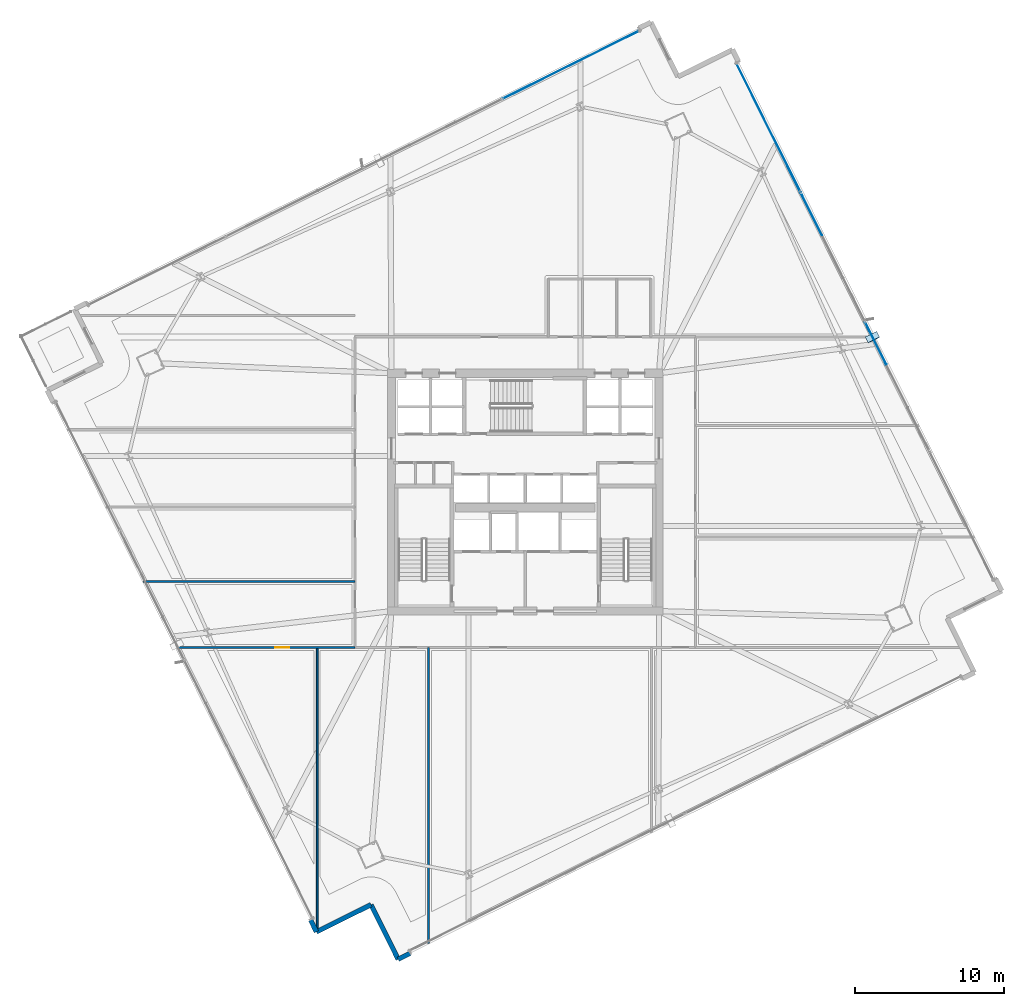
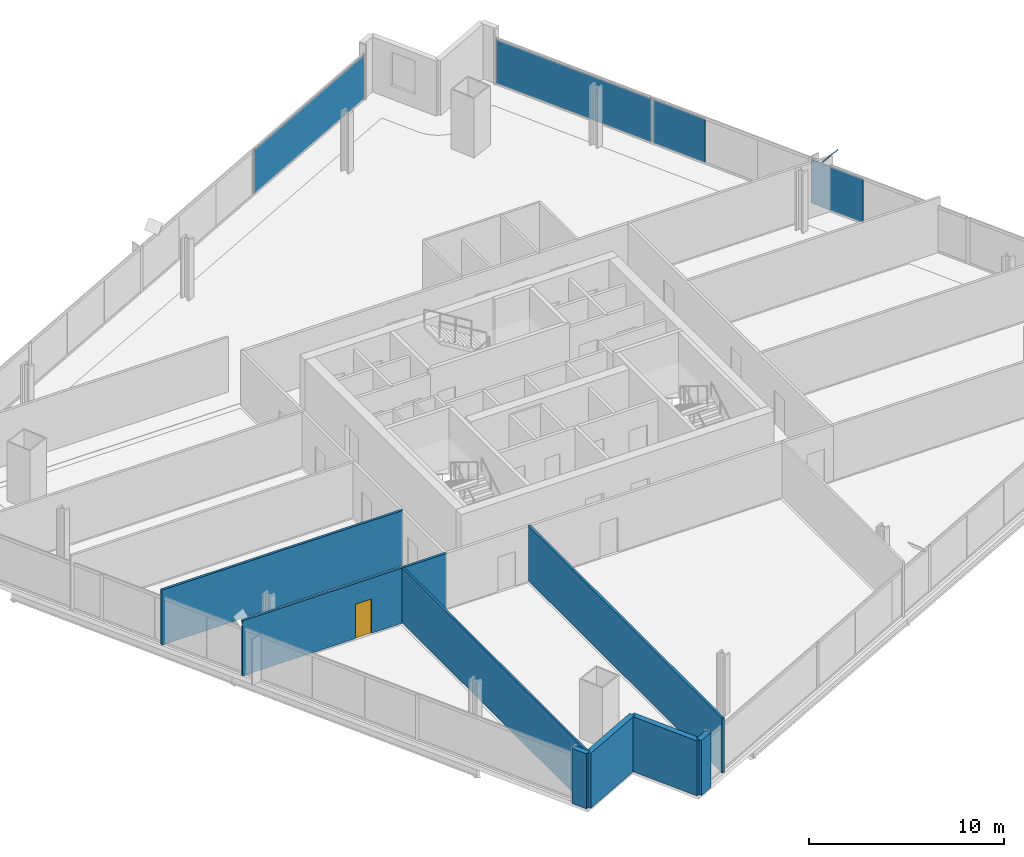
# One storey, part 25 of 35: 8 walls, 5 plates, 1 door, 1 opening, 2 elements without a shape of their own.
"""IFC4 building model written with IfcOpenShell, lengths in metres."""

from ifc_helpers import new_model, si_unit, direction, frame, frame_2d, origin, origin_2d, place, context, subcontext, project, spatial, rectangle, extrude, source, transform, mapped, material, layer, layer_set, type_object, element, fill, aggregate, save


model = new_model("IFC4")

# Units and contexts
model_context = context("Model", 3, precision=1e-05, world=origin(), true_north=direction((0.0, 1.0)))
body_context = subcontext(model_context, "Body", "Model", "MODEL_VIEW")
ifc_project = project(units=[si_unit("LENGTHUNIT", "METRE"), si_unit("AREAUNIT", "SQUARE_METRE"), si_unit("VOLUMEUNIT", "CUBIC_METRE"), si_unit("PLANEANGLEUNIT", "RADIAN"), si_unit("MASSUNIT", "GRAM", prefix="KILO")], contexts=[model_context])

# Site, building, storey
site_placement = place(None, origin())
site = spatial("IfcSite", under=ifc_project, at=site_placement, CompositionType="ELEMENT")
building_placement = place(site_placement, origin())
building = spatial("IfcBuilding", under=site, at=building_placement, Name="Haldenkirk Collegiate Tower", CompositionType="ELEMENT")
storey_placement = place(building_placement, frame((0.0, 0.0, 116.699951171875)))
storey = spatial("IfcBuildingStorey", under=building, at=storey_placement, Name="L28", CompositionType="ELEMENT", Elevation=116.699951171875)

# Plate
ifc_material_1 = material(Name="Steel ASTM A572 Grade 50", Category="steel")
ifc_layer_1 = layer(ifc_material_1, 0.034912109375)
ifc_layer_set_1 = layer_set([ifc_layer_1], Name="Steel ASTM A572 Grade 50")
plate_type_1 = type_object("IfcPlateType", Name="PLT-CAP-EXT-760X600", PredefinedType="USERDEFINED", material=ifc_layer_set_1)
shared_shape_1 = source(origin(), body_context, "Body", "SweptSolid", [
    extrude(rectangle(XDim=0.860107421875, YDim=0.659912109375, at=origin_2d()), origin(), (0.0, 0.0, 1.0), 0.034912109375),
])
plate_1_placement = place(storey_placement, frame((59.364013671875, 36.413818359375, 3.438232421875), z_axis=(-0.32932390192, 0.69259479373, 0.641761808869), x_axis=(-0.903104917868, -0.429419966144, -3.928e-09)))
element("IfcPlate", 1, at=plate_1_placement, inside=storey, type_object=plate_type_1, Name="Perimeter Mega Brace Z2 L26-L28 EL end cap plate 2", ObjectType="END CAP PLATE", PredefinedType="USERDEFINED", context=body_context, shape_type="MappedRepresentation", body=[
    mapped(shared_shape_1, transform((0.0, 0.0, 0.0), x_axis=(1.0, 0.0, 0.0), y_axis=(0.0, 1.0, 0.0), z_axis=(0.0, 0.0, 1.0), scale=1.0)),
])

# Curtain wall, plates
ifc_material_2 = material(Name="Anodised architectural bronze aluminium", Category="aluminium")
curtain_wall_type = type_object("IfcCurtainWallType", Name="CW-SYS1-CONVEX-LOW", PredefinedType="USERDEFINED", material=ifc_material_2)
curtain_wall_1_placement = place(storey_placement, origin())
curtain_wall_1 = element("IfcCurtainWall", 2, at=curtain_wall_1_placement, inside=storey, type_object=curtain_wall_type, Name="L28 Lower tower convex bronze-framed unitised curtain wall", ObjectType="UNITISED CURTAIN WALL", PredefinedType="USERDEFINED")
ifc_material_3 = material(Name="Low-E argon triple insulating glass", Category="glass")
ifc_layer_2 = layer(ifc_material_3, 0.0439453125)
ifc_layer_set_2 = layer_set([ifc_layer_2], Name="Low-E argon triple insulating glass")
plate_type_2 = type_object("IfcPlateType", Name="CW-PNL-1A", PredefinedType="CURTAIN_PANEL", material=ifc_layer_set_2)
shared_shape_2 = source(origin(), body_context, "Body", "SweptSolid", [
    extrude(rectangle(XDim=9.5986328125, YDim=0.0439453125, at=origin_2d()), origin(), (0.0, 0.0, 1.0), 2.740966796875),
])
plate_2_placement = place(storey_placement, frame((52.35888671875, 50.524169921875, 0.080078125), z_axis=(0.0, 0.0, 1.0), x_axis=(0.445416160519, -0.895323653183, 0.0)))
plate_2 = element("IfcPlate", 3, at=plate_2_placement, type_object=plate_type_2, Name="CW-1A panel 1.1", PredefinedType="CURTAIN_PANEL", context=body_context, shape_type="MappedRepresentation", body=[
    mapped(shared_shape_2, transform((0.0, 0.0, 0.0), x_axis=(1.0, 0.0, 0.0), y_axis=(0.0, 1.0, 0.0), z_axis=(0.0, 0.0, 1.0), scale=1.0)),
])
shared_shape_3 = source(origin(), body_context, "Body", "SweptSolid", [
    extrude(rectangle(XDim=3.200439453125, YDim=0.0439453125, at=origin_2d()), origin(), (0.0, 0.0, 1.0), 2.740966796875),
])
plate_3_placement = place(storey_placement, frame((55.244873046875, 44.722900390625, 0.080078125), z_axis=(0.0, 0.0, 1.0), x_axis=(0.445416160519, -0.895323653183, 0.0)))
plate_3 = element("IfcPlate", 4, at=plate_3_placement, type_object=plate_type_2, Name="CW-1A panel 2.1a", PredefinedType="CURTAIN_PANEL", context=body_context, shape_type="MappedRepresentation", body=[
    mapped(shared_shape_3, transform((0.0, 0.0, 0.0), x_axis=(1.0, 0.0, 0.0), y_axis=(0.0, 1.0, 0.0), z_axis=(0.0, 0.0, 1.0), scale=1.0)),
])
ifc_material_4 = material(Name="Bronze-anodised insulated aluminium spandrel panel", Category="aluminium")
ifc_layer_3 = layer(ifc_material_4, 0.0439453125)
ifc_layer_set_3 = layer_set([ifc_layer_3], Name="Bronze-anodised insulated aluminium spandrel panel")
plate_type_3 = type_object("IfcPlateType", Name="CW-SPD-1A", PredefinedType="CURTAIN_PANEL", material=ifc_layer_set_3)
plate_4_placement = place(storey_placement, frame((59.57373046875, 36.021484375, 0.080078125), z_axis=(0.0, 0.0, 1.0), x_axis=(0.445416160519, -0.895323653183, 0.0)))
plate_4 = element("IfcPlate", 5, at=plate_4_placement, type_object=plate_type_3, Name="CW-1A spandrel panel 3.1a", PredefinedType="CURTAIN_PANEL", context=body_context, shape_type="MappedRepresentation", body=[
    mapped(shared_shape_3, transform((0.0, 0.0, 0.0), x_axis=(1.0, 0.0, 0.0), y_axis=(0.0, 1.0, 0.0), z_axis=(0.0, 0.0, 1.0), scale=1.0)),
])
aggregate(curtain_wall_1, [plate_2, plate_3, plate_4])

# Curtain wall, plate
curtain_wall_2_placement = place(storey_placement, origin())
curtain_wall_2 = element("IfcCurtainWall", 6, at=curtain_wall_2_placement, inside=storey, type_object=curtain_wall_type, Name="L28 Lower tower convex bronze-framed unitised curtain wall", ObjectType="UNITISED CURTAIN WALL", PredefinedType="USERDEFINED")
shared_shape_4 = source(origin(), body_context, "Body", "SweptSolid", [
    extrude(rectangle(XDim=10.2548828125, YDim=0.0439453125, at=origin_2d()), origin(), (0.0, 0.0, 1.0), 2.740966796875),
])
plate_5_placement = place(storey_placement, frame((39.060791015625, 54.741943359375, 0.080078125), z_axis=(0.0, 0.0, 1.0), x_axis=(0.895323220156, 0.445417030937, 0.0)))
plate_5 = element("IfcPlate", 7, at=plate_5_placement, type_object=plate_type_2, Name="CW-1A panel 4.1", PredefinedType="CURTAIN_PANEL", context=body_context, shape_type="MappedRepresentation", body=[
    mapped(shared_shape_4, transform((0.0, 0.0, 0.0), x_axis=(1.0, 0.0, 0.0), y_axis=(0.0, 1.0, 0.0), z_axis=(0.0, 0.0, 1.0), scale=1.0)),
])
aggregate(curtain_wall_2, [plate_5])

# Walls
ifc_material_5 = material(Name="Precast concrete f'c 40 MPa", Category="concrete")
ifc_layer_4 = layer(ifc_material_5, 0.320068359375)
ifc_layer_set_4 = layer_set([ifc_layer_4], Name="Precast concrete f'c 40 MPa")
wall_type_1 = type_object("IfcWallType", Name="WL-EXT-TWR-320", PredefinedType="STANDARD", material=ifc_layer_set_4)
for number, where, z_axis, x_axis, name in (
    (8, (28.2568359375, -5.02099609375, 0.0), (0.0, 0.0, 1.0), (-0.895239318196, -0.445585640653, 0.0), "L28 precast corner pier SR"),
    (9, (21.9541015625, -3.577392578125, 0.0), (0.0, 0.0, 1.0), (-0.445585640653, 0.895239318196, 0.0), "L28 precast corner pier WL"),
):
    element("IfcWall", number, at=place(storey_placement, frame(where, z_axis=z_axis, x_axis=x_axis)), inside=storey, type_object=wall_type_1, Name=name, PredefinedType="STANDARD", context=body_context, shape_type="SweptSolid", body=[
        extrude(rectangle(XDim=0.900146484375, YDim=0.320068359375, at=frame_2d((0.4501953125, 0.0))), origin(), (0.0, 0.0, 1.0), 3.449951171875),
    ])
wall_1_placement = place(storey_placement, frame((25.624755859375, -1.751220703125, 0.0), z_axis=(0.0, 0.0, 1.0), x_axis=(-0.895318641339, -0.4454262346, 0.0)))
element("IfcWall", 10, at=wall_1_placement, inside=storey, type_object=wall_type_1, Name="L28 bronze precast notch wall 11", PredefinedType="STANDARD", context=body_context, shape_type="SweptSolid", body=[
    extrude(rectangle(XDim=4.099853515625, YDim=0.320068359375, at=frame_2d((2.0498046875, 0.0))), origin(), (0.0, 0.0, 1.0), 3.449951171875),
])
wall_2_placement = place(storey_placement, frame((27.450927734375, -5.422119140625, 0.0), z_axis=(0.0, 0.0, 1.0), x_axis=(-0.445402487678, 0.895330455178, 0.0)))
element("IfcWall", 11, at=wall_2_placement, inside=storey, type_object=wall_type_1, Name="L28 bronze precast notch wall 12", PredefinedType="STANDARD", context=body_context, shape_type="SweptSolid", body=[
    extrude(rectangle(XDim=4.10009765625, YDim=0.320068359375, at=frame_2d((2.050048828125, 0.0))), origin(), (0.0, 0.0, 1.0), 3.449951171875),
])

# Wall, opening, door
ifc_material_6 = material(Name="Acoustic fire-rated gypsum partition", Category="concrete")
ifc_layer_5 = layer(ifc_material_6, 0.139892578125)
ifc_layer_set_5 = layer_set([ifc_layer_5], Name="Acoustic fire-rated gypsum partition")
wall_type_2 = type_object("IfcWallType", Name="WL-INT-DIV-140", PredefinedType="PARTITIONING", material=ifc_layer_set_5)
wall_3_placement = place(storey_placement, frame((12.48291015625, 15.550048828125, 0.0), z_axis=(0.0, 0.0, 1.0), x_axis=(1.0, 0.0, 0.0)))
wall_3 = element("IfcWall", 12, at=wall_3_placement, inside=storey, type_object=wall_type_2, Name="L28 interior partition IW-L28-BWS", PredefinedType="PARTITIONING", context=body_context, shape_type="SweptSolid", body=[
    extrude(rectangle(XDim=12.067138671875, YDim=0.139892578125, at=frame_2d((6.03369140625, 0.0))), origin(), (0.0, 0.0, 1.0), 3.449951171875),
])
opening_placement = place(wall_3_placement, frame((6.68896484375, 0.0, 0.0)))
opening = element("IfcOpeningElement", 13, at=opening_placement, cuts=wall_3, Name="Opening D-12", PredefinedType="OPENING", context=body_context, shape_type="SweptSolid", body=[
    extrude(rectangle(XDim=0.949951171875, YDim=2.14990234375, at=frame_2d((0.47509765625, 1.074951171875))), frame((0.0, 0.079833984375, 0.0), z_axis=(0.0, -1.0, 0.0), x_axis=(1.0, 0.0, 0.0)), (0.0, 0.0, 1.0), 0.159912109375),
])
ifc_material_7 = material(Name="Solid-core architectural oak fire door", Category="wood")
ifc_layer_6 = layer(ifc_material_7, 0.06005859375)
ifc_layer_set_6 = layer_set([ifc_layer_6], Name="Solid-core architectural oak fire door")
door_type = type_object("IfcDoorType", Name="DR-INT-STD-950", OperationType="NOTDEFINED", PredefinedType="DOOR", material=ifc_layer_set_6)
door_placement = place(opening_placement, origin())
door = element("IfcDoor", 14, at=door_placement, inside=storey, type_object=door_type, Name="L28 Collegiate Commons Lounge 1 door", OperationType="SINGLE_SWING_LEFT", OverallHeight=2.14990234375, OverallWidth=0.949951171875, PredefinedType="DOOR", context=body_context, shape_type="SweptSolid", body=[
    extrude(rectangle(XDim=0.949951171875, YDim=2.14990234375, at=frame_2d((0.47509765625, 1.074951171875))), frame((0.0, 0.02490234375, 0.0), z_axis=(0.0, -1.0, 0.0), x_axis=(1.0, 0.0, 0.0)), (0.0, 0.0, 1.0), 0.050048828125),
])
fill(opening, door)

# Walls
wall_4_placement = place(storey_placement, frame((29.5, -4.35791015625, 0.0), z_axis=(0.0, 0.0, 1.0), x_axis=(0.0, 1.0, 0.0)))
element("IfcWall", 15, at=wall_4_placement, inside=storey, type_object=wall_type_2, Name="L28 interior partition IW-L28-RS2", PredefinedType="PARTITIONING", context=body_context, shape_type="SweptSolid", body=[
    extrude(rectangle(XDim=19.907958984375, YDim=0.139892578125, at=frame_2d((9.9541015625, 0.0))), origin(), (0.0, 0.0, 1.0), 3.449951171875),
])
wall_5_placement = place(storey_placement, frame((10.26904296875, 20.0, 0.0), z_axis=(0.0, 0.0, 1.0), x_axis=(1.0, 0.0, 0.0)))
element("IfcWall", 16, at=wall_5_placement, inside=storey, type_object=wall_type_2, Name="L28 interior partition IW-L28-RW1", PredefinedType="PARTITIONING", context=body_context, shape_type="SweptSolid", body=[
    extrude(rectangle(XDim=14.281005859375, YDim=0.139892578125, at=frame_2d((7.140625, 0.0))), origin(), (0.0, 0.0, 1.0), 3.449951171875),
])
ifc_layer_7 = layer(ifc_material_6, 0.1201171875)
ifc_layer_set_7 = layer_set([ifc_layer_7], Name="Acoustic fire-rated gypsum partition")
wall_type_3 = type_object("IfcWallType", Name="WL-INT-WET-120", PredefinedType="PARTITIONING", material=ifc_layer_set_7)
wall_6_placement = place(storey_placement, frame((22.0, -3.509765625, 0.0), z_axis=(0.0, 0.0, 1.0), x_axis=(0.0, 1.0, 0.0)))
element("IfcWall", 17, at=wall_6_placement, inside=storey, type_object=wall_type_3, Name="L28 interior partition IW-L28-RS1", PredefinedType="PARTITIONING", context=body_context, shape_type="SweptSolid", body=[
    extrude(rectangle(XDim=19.059814453125, YDim=0.1201171875, at=frame_2d((9.52978515625, 0.0))), origin(), (0.0, 0.0, 1.0), 3.449951171875),
])

save(model, "model.ifc")
